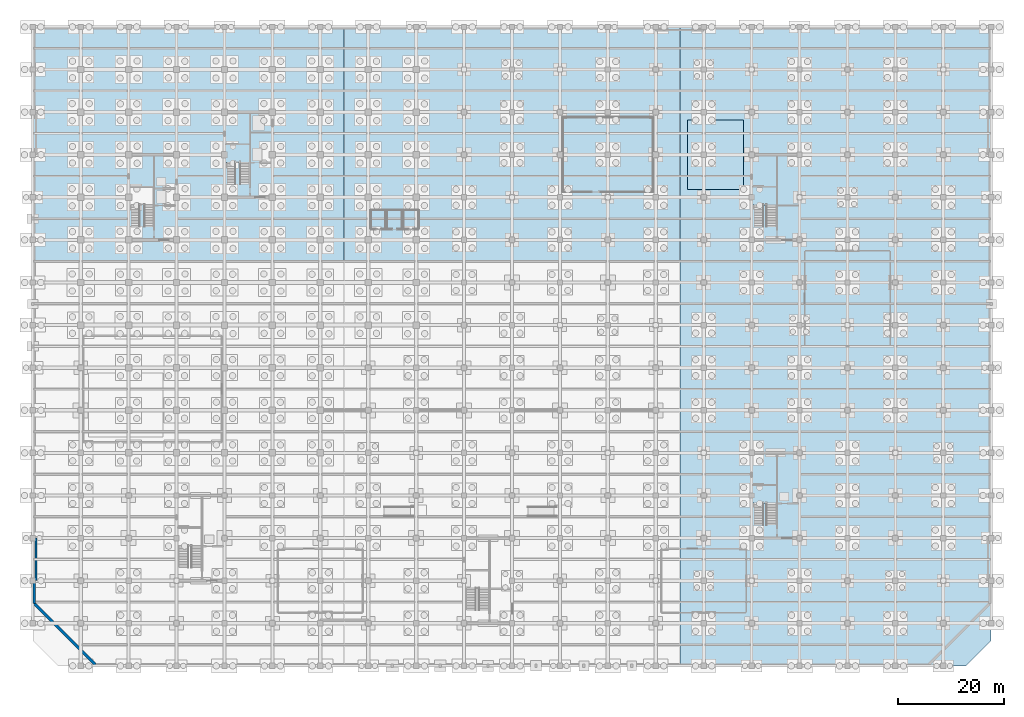
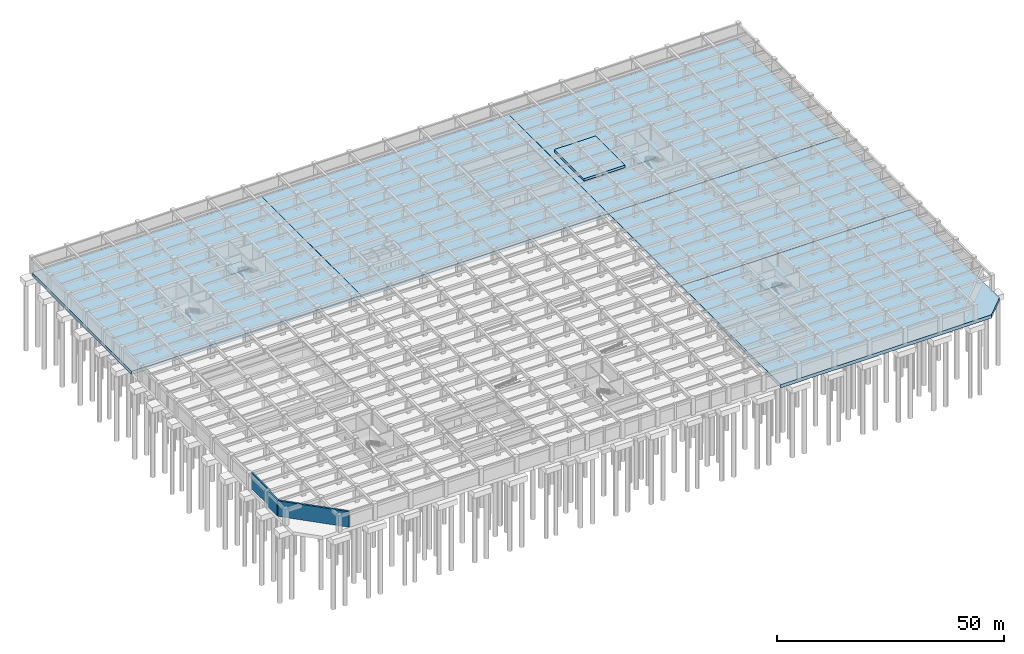
# One storey, part 16 of 31: 9 slabs, 3 walls, 3 elements without a shape of their own.
"""IFC4 building model written with IfcOpenShell, lengths in metres."""

from ifc_helpers import new_model, si_unit, direction, frame, frame_2d, origin, place, context, subcontext, project, spatial, polyline, rectangle, outline, extrude, material, layer, layer_set, type_object, element, aggregate, save


model = new_model("IFC4")

# Units and contexts
model_context = context("Model", 3, precision=1e-05, world=origin(), true_north=direction((0.0, 1.0)))
body_context = subcontext(model_context, "Body", "Model", "MODEL_VIEW")
ifc_project = project(units=[si_unit("LENGTHUNIT", "METRE"), si_unit("AREAUNIT", "SQUARE_METRE"), si_unit("VOLUMEUNIT", "CUBIC_METRE"), si_unit("PLANEANGLEUNIT", "RADIAN"), si_unit("MASSUNIT", "GRAM", prefix="KILO")], contexts=[model_context])

# Site, building, storey
site_placement = place(None, origin())
site = spatial("IfcSite", under=ifc_project, at=site_placement, CompositionType="ELEMENT")
building_placement = place(site_placement, origin())
building = spatial("IfcBuilding", under=site, at=building_placement, Name="Zaverband Oceanarium and Marine Research Institute", CompositionType="ELEMENT")
storey_placement = place(building_placement, frame((0.0, 0.0, -9.0)))
storey = spatial("IfcBuildingStorey", under=building, at=storey_placement, Name="B2", CompositionType="ELEMENT", Elevation=-9.0)

# Stair, slab
ifc_material_1 = material(Name="Concrete C40/50", Category="concrete")
stair_type_1 = type_object("IfcStairType", Name="STR-TWR-1650-4500", PredefinedType="HALF_TURN_STAIR", material=ifc_material_1)
stair_1_placement = place(storey_placement, origin())
stair_1 = element("IfcStair", 1, at=stair_1_placement, inside=storey, type_object=stair_type_1, Name="Exit Stair ST-02 (B2)", PredefinedType="HALF_TURN_STAIR")
ifc_layer_1 = layer(ifc_material_1, 0.199951171875, Name="Concrete C40/50")
ifc_layer_set_1 = layer_set([ifc_layer_1], Name="Concrete C40/50")
slab_type_1 = type_object("IfcSlabType", Name="SLB-LND-200", PredefinedType="LANDING", material=ifc_layer_set_1)
slab_1_placement = place(storey_placement, frame((0.0, 0.0, 2.050048828125)))
slab_1 = element("IfcSlab", 2, at=slab_1_placement, type_object=slab_type_1, Name="Stair / ramp landing slab SLB-LND-200", PredefinedType="LANDING", context=body_context, shape_type="SweptSolid", body=[
    extrude(outline(polyline([(36.139892578125, 94.570068359375), (40.735107421875, 94.570068359375), (40.735107421875, 97.93505859375), (36.139892578125, 97.93505859375), (36.139892578125, 94.570068359375)])), origin(), (0.0, 0.0, 1.0), 0.199951171875),
])
aggregate(stair_1, [slab_1])

stair_type_2 = type_object("IfcStairType", Name="STR-POD-1800-4500", PredefinedType="HALF_TURN_STAIR", material=ifc_material_1)
stair_2_placement = place(storey_placement, origin())
stair_2 = element("IfcStair", 3, at=stair_2_placement, inside=storey, type_object=stair_type_2, Name="Exit Stair ST-04 (B2)", PredefinedType="HALF_TURN_STAIR")
ifc_layer_2 = layer(ifc_material_1, 0.219970703125, Name="Concrete C40/50")
ifc_layer_set_2 = layer_set([ifc_layer_2], Name="Concrete C40/50")
slab_type_2 = type_object("IfcSlabType", Name="SLB-LND-220", PredefinedType="LANDING", material=ifc_layer_set_2)
slab_2_placement = place(storey_placement, frame((0.0, 0.0, 2.030029296875)))
slab_2 = element("IfcSlab", 4, at=slab_2_placement, type_object=slab_type_2, Name="Stair / ramp landing slab SLB-LND-220", PredefinedType="LANDING", context=body_context, shape_type="SweptSolid", body=[
    extrude(outline(polyline([(135.139892578125, 30.570068359375), (139.735107421875, 30.570068359375), (139.735107421875, 33.93505859375), (135.139892578125, 33.93505859375), (135.139892578125, 30.570068359375)])), origin(), (0.0, 0.0, 1.0), 0.219970703125),
])
aggregate(stair_2, [slab_2])

stair_3_placement = place(storey_placement, origin())
stair_3 = element("IfcStair", 5, at=stair_3_placement, inside=storey, type_object=stair_type_2, Name="Exit Stair ST-05 (B2)", PredefinedType="HALF_TURN_STAIR")
slab_3_placement = place(storey_placement, frame((0.0, 0.0, 2.030029296875)))
slab_3 = element("IfcSlab", 6, at=slab_3_placement, type_object=slab_type_2, Name="Stair / ramp landing slab SLB-LND-220", PredefinedType="LANDING", context=body_context, shape_type="SweptSolid", body=[
    extrude(outline(polyline([(135.139892578125, 86.570068359375), (139.735107421875, 86.570068359375), (139.735107421875, 89.93505859375), (135.139892578125, 89.93505859375), (135.139892578125, 86.570068359375)])), origin(), (0.0, 0.0, 1.0), 0.219970703125),
])
aggregate(stair_3, [slab_3])

# Slabs
ifc_material_2 = material(Name="Concrete C50/60", Category="concrete")
ifc_layer_3 = layer(ifc_material_2, 0.89990234375, Name="Concrete C50/60")
ifc_layer_set_3 = layer_set([ifc_layer_3], Name="Concrete C50/60")
slab_type_3 = type_object("IfcSlabType", Name="SLB-MAT-900", PredefinedType="BASESLAB", material=ifc_layer_set_3)
slab_4_placement = place(storey_placement, frame((0.0, 0.0, -0.89990234375)))
element("IfcSlab", 7, at=slab_4_placement, inside=storey, type_object=slab_type_3, Name="Basement foundation mat SLB-MAT-900", PredefinedType="BASESLAB", context=body_context, shape_type="SweptSolid", body=[
    extrude(outline(polyline([(121.514892578125, 0.0), (175.199951171875, 0.0), (180.0, 4.800048828125), (180.0, 43.985107421875), (121.514892578125, 43.985107421875), (121.514892578125, 0.0)])), origin(), (0.0, 0.0, 1.0), 0.89990234375),
])
slab_5_placement = place(storey_placement, frame((0.0, 0.0, -0.89990234375)))
element("IfcSlab", 8, at=slab_5_placement, inside=storey, type_object=slab_type_3, Name="Basement foundation mat SLB-MAT-900", PredefinedType="BASESLAB", context=body_context, shape_type="SweptSolid", body=[
    extrude(outline(polyline([(121.514892578125, 44.014892578125), (180.0, 44.014892578125), (180.0, 75.985107421875), (121.514892578125, 75.985107421875), (121.514892578125, 44.014892578125)])), origin(), (0.0, 0.0, 1.0), 0.89990234375),
])
slab_6_placement = place(storey_placement, frame((0.0, 0.0, -0.89990234375)))
element("IfcSlab", 9, at=slab_6_placement, inside=storey, type_object=slab_type_3, Name="Basement foundation mat SLB-MAT-900", PredefinedType="BASESLAB", context=body_context, shape_type="SweptSolid", body=[
    extrude(outline(polyline([(0.0, 76.014892578125), (58.485107421875, 76.014892578125), (58.485107421875, 120.0), (0.0, 120.0), (0.0, 76.014892578125)])), origin(), (0.0, 0.0, 1.0), 0.89990234375),
])
slab_7_placement = place(storey_placement, frame((0.0, 0.0, -0.89990234375)))
element("IfcSlab", 10, at=slab_7_placement, inside=storey, type_object=slab_type_3, Name="Basement foundation mat SLB-MAT-900", PredefinedType="BASESLAB", context=body_context, shape_type="SweptSolid", body=[
    extrude(outline(polyline([(58.514892578125, 76.014892578125), (121.485107421875, 76.014892578125), (121.485107421875, 120.0), (58.514892578125, 120.0), (58.514892578125, 76.014892578125)])), origin(), (0.0, 0.0, 1.0), 0.89990234375),
])
slab_8_placement = place(storey_placement, frame((0.0, 0.0, -0.89990234375)))
element("IfcSlab", 11, at=slab_8_placement, inside=storey, type_object=slab_type_3, Name="Basement foundation mat SLB-MAT-900", PredefinedType="BASESLAB", context=body_context, shape_type="SweptSolid", body=[
    extrude(outline(polyline([(121.514892578125, 76.014892578125), (180.0, 76.014892578125), (180.0, 120.0), (121.514892578125, 120.0), (121.514892578125, 76.014892578125)])), origin(), (0.0, 0.0, 1.0), 0.89990234375),
])
ifc_material_3 = material(Name="Concrete C45/55", Category="concrete")
ifc_layer_4 = layer(ifc_material_3, 0.64990234375, Name="Concrete C45/55")
ifc_layer_set_4 = layer_set([ifc_layer_4], Name="Concrete C45/55")
slab_type_4 = type_object("IfcSlabType", Name="SLB-TNK-650", PredefinedType="FLOOR", material=ifc_layer_set_4)
slab_9_placement = place(storey_placement, origin())
element("IfcSlab", 12, at=slab_9_placement, inside=storey, type_object=slab_type_4, Name="Tank base slab SLB-TNK-650", PredefinedType="FLOOR", context=body_context, shape_type="SweptSolid", body=[
    extrude(outline(polyline([(123.0, 89.5), (133.5, 89.5), (133.5, 102.5), (123.0, 102.5), (123.0, 89.5)])), origin(), (0.0, 0.0, 1.0), 0.64990234375),
])

# Walls
ifc_layer_5 = layer(ifc_material_3, 0.47998046875, Name="Concrete C45/55")
ifc_layer_set_5 = layer_set([ifc_layer_5], Name="Concrete C45/55")
wall_type_1 = type_object("IfcWallType", Name="RW-01", PredefinedType="SHEAR", material=ifc_layer_set_5)
wall_1_placement = place(storey_placement, frame((0.25, 16.0, 0.0), z_axis=(0.0, 0.0, 1.0), x_axis=(0.0, -1.0, 0.0)))
element("IfcWall", 13, at=wall_1_placement, inside=storey, type_object=wall_type_1, Name="Basement retaining wall RW-01", PredefinedType="SHEAR", context=body_context, shape_type="SweptSolid", body=[
    extrude(rectangle(XDim=4.25, YDim=0.47998046875, at=frame_2d((2.125, 0.0))), origin(), (0.0, 0.0, 1.0), 4.199951171875),
])
wall_2_placement = place(storey_placement, frame((0.25, 11.75, 0.0), z_axis=(0.0, 0.0, 1.0), x_axis=(0.707106781187, -0.707106781187, 0.0)))
element("IfcWall", 14, at=wall_2_placement, inside=storey, type_object=wall_type_1, Name="Basement retaining wall RW-01", PredefinedType="SHEAR", context=body_context, shape_type="SweptSolid", body=[
    extrude(rectangle(XDim=16.263427734375, YDim=0.47998046875, at=frame_2d((8.1318359375, 0.0))), origin(), (0.0, 0.0, 1.0), 4.199951171875),
])
ifc_layer_6 = layer(ifc_material_2, 0.419921875, Name="Concrete C50/60")
ifc_layer_set_6 = layer_set([ifc_layer_6], Name="Concrete C50/60")
wall_type_2 = type_object("IfcWallType", Name="SW-01", PredefinedType="SHEAR", material=ifc_layer_set_6)
wall_3_placement = place(storey_placement, frame((0.60009765625, 16.0, 0.0), z_axis=(0.0, 0.0, 1.0), x_axis=(0.0, 1.0, 0.0)))
element("IfcWall", 15, at=wall_3_placement, inside=storey, type_object=wall_type_2, Name="Structural shear wall SW-01", PredefinedType="SHEAR", context=body_context, shape_type="SweptSolid", body=[
    extrude(rectangle(XDim=8.0, YDim=0.419921875, at=frame_2d((4.0, 0.0))), origin(), (0.0, 0.0, 1.0), 4.199951171875),
])

save(model, "model.ifc")
